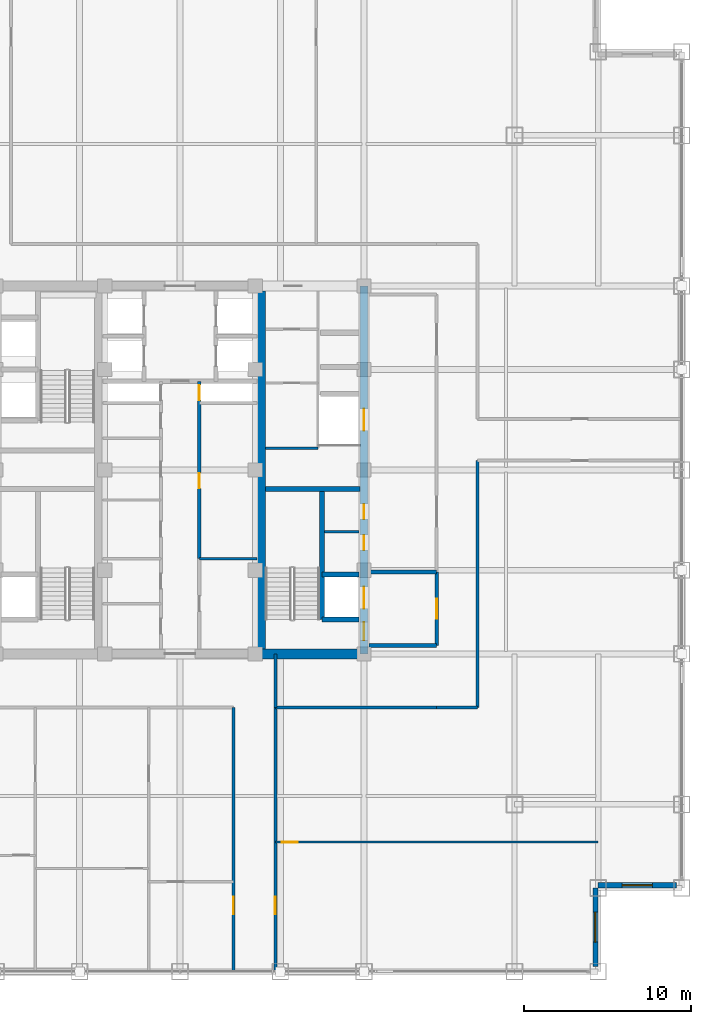
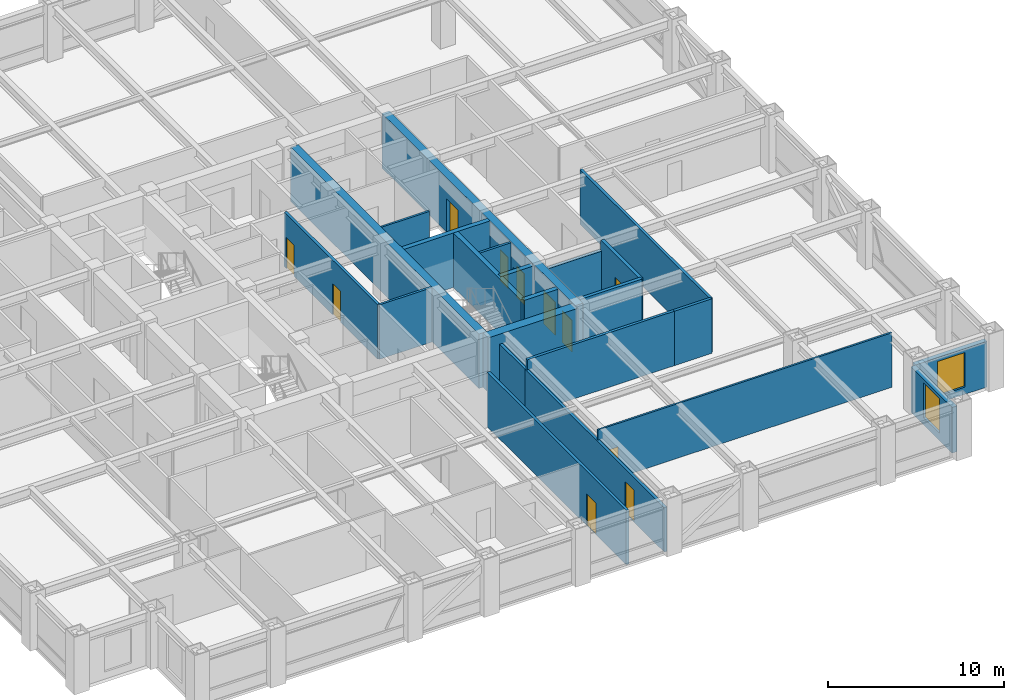
# One storey, part 21 of 24: 23 walls, 11 doors, 2 windows, 13 openings.
"""IFC4 building model written with IfcOpenShell, lengths in metres."""

from ifc_helpers import new_model, si_unit, direction, frame, frame_2d, origin, place, context, subcontext, project, spatial, rectangle, extrude, source, transform, mapped, material, layer, layer_set, type_object, element, fill, save


model = new_model("IFC4")

# Units and contexts
model_context = context("Model", 3, precision=1e-05, world=origin(), true_north=direction((0.0, 1.0)))
body_context = subcontext(model_context, "Body", "Model", "MODEL_VIEW")
ifc_project = project(units=[si_unit("LENGTHUNIT", "METRE"), si_unit("AREAUNIT", "SQUARE_METRE"), si_unit("VOLUMEUNIT", "CUBIC_METRE"), si_unit("PLANEANGLEUNIT", "RADIAN"), si_unit("MASSUNIT", "GRAM", prefix="KILO")], contexts=[model_context])

# Site, building, storey
site_placement = place(None, origin())
site = spatial("IfcSite", under=ifc_project, at=site_placement, CompositionType="ELEMENT")
building_placement = place(site_placement, origin())
building = spatial("IfcBuilding", under=site, at=building_placement, Name="Khorayat Bourse Tower", CompositionType="ELEMENT")
storey_placement = place(building_placement, frame((0.0, 0.0, 219.10009765625)))
storey = spatial("IfcBuildingStorey", under=building, at=storey_placement, Name="L51", CompositionType="ELEMENT", Elevation=219.10009765625)

# Wall
ifc_material_1 = material(Name="Concrete C52/65", Category="concrete")
ifc_layer_1 = layer(ifc_material_1, 0.5)
ifc_layer_set_1 = layer_set([ifc_layer_1], Name="Concrete C52/65")
wall_type_1 = type_object("IfcWallType", Name="WAL-CORE-500", PredefinedType="SHEAR", material=ifc_layer_set_1)
shared_shape_1 = source(origin(), body_context, "Body", "SweptSolid", [
    extrude(rectangle(XDim=21.39990234375, YDim=0.5, at=frame_2d((10.699951171875, 0.0))), origin(), (0.0, 0.0, 1.0), 3.77978515625),
])
wall_1_placement = place(storey_placement, frame((4.85009765625, -10.699951171875, 0.0), z_axis=(0.0, 0.0, 1.0), x_axis=(0.0, 1.0, 0.0)))
element("IfcWall", 1, at=wall_1_placement, inside=storey, type_object=wall_type_1, Name="L51 Core Shear Wall PIER-E", PredefinedType="SHEAR", context=body_context, shape_type="MappedRepresentation", body=[
    mapped(shared_shape_1, transform((0.0, 0.0, 0.0), scale=1.0)),
])

# Wall, openings, doors
shared_shape_2 = source(origin(), body_context, "Body", "SweptSolid", [
    extrude(rectangle(XDim=22.0, YDim=0.5, at=frame_2d((11.0, 0.0))), origin(), (0.0, 0.0, 1.0), 3.77978515625),
])
wall_2_placement = place(storey_placement, frame((11.0, -11.0, 0.0), z_axis=(0.0, 0.0, 1.0), x_axis=(0.0, 1.0, 0.0)))
wall_2 = element("IfcWall", 2, at=wall_2_placement, inside=storey, type_object=wall_type_1, Name="L51 Core Shear Wall CORE-E", PredefinedType="SHEAR", context=body_context, shape_type="MappedRepresentation", body=[
    mapped(shared_shape_2, transform((0.0, 0.0, 0.0), scale=1.0)),
])
shared_shape_3 = source(origin(), body_context, "Body", "SweptSolid", [
    extrude(rectangle(XDim=1.10009765625, YDim=2.199951171875, at=frame_2d((0.550048828125, 1.10009765625))), frame((0.0, 0.260009765625, 0.0), z_axis=(0.0, -1.0, 0.0), x_axis=(1.0, 0.0, 0.0)), (0.0, 0.0, 1.0), 0.52001953125),
])
opening_1_placement = place(wall_2_placement, frame((0.800048828125, 0.0, 0.0)))
opening_1 = element("IfcOpeningElement", 3, at=opening_1_placement, cuts=wall_2, Name="Opening DI-01", PredefinedType="OPENING", context=body_context, shape_type="MappedRepresentation", body=[
    mapped(shared_shape_3, transform((0.0, 0.0, 0.0), scale=1.0)),
])
shared_shape_4 = source(origin(), body_context, "Body", "SweptSolid", [
    extrude(rectangle(XDim=0.89990234375, YDim=2.14990234375, at=frame_2d((0.449951171875, 1.074951171875))), frame((0.0, 0.260009765625, 0.0), z_axis=(0.0, -1.0, 0.0), x_axis=(1.0, 0.0, 0.0)), (0.0, 0.0, 1.0), 0.52001953125),
])
opening_2_placement = place(wall_2_placement, frame((6.199951171875, 0.0, 0.0)))
opening_2 = element("IfcOpeningElement", 4, at=opening_2_placement, cuts=wall_2, Name="Opening DI-06", PredefinedType="OPENING", context=body_context, shape_type="MappedRepresentation", body=[
    mapped(shared_shape_4, transform((0.0, 0.0, 0.0), scale=1.0)),
])
opening_3_placement = place(wall_2_placement, frame((8.050048828125, 0.0, 0.0)))
opening_3 = element("IfcOpeningElement", 5, at=opening_3_placement, cuts=wall_2, Name="Opening DI-06", PredefinedType="OPENING", context=body_context, shape_type="MappedRepresentation", body=[
    mapped(shared_shape_4, transform((0.0, 0.0, 0.0), scale=1.0)),
])
shared_shape_5 = source(origin(), body_context, "Body", "SweptSolid", [
    extrude(rectangle(XDim=1.300048828125, YDim=2.300048828125, at=frame_2d((0.64990234375, 1.14990234375))), frame((0.0, 0.260009765625, 0.0), z_axis=(0.0, -1.0, 0.0), x_axis=(1.0, 0.0, 0.0)), (0.0, 0.0, 1.0), 0.52001953125),
])
opening_4_placement = place(wall_2_placement, frame((2.699951171875, 0.0, 0.0)))
opening_4 = element("IfcOpeningElement", 6, at=opening_4_placement, cuts=wall_2, Name="Opening LD-02", PredefinedType="OPENING", context=body_context, shape_type="MappedRepresentation", body=[
    mapped(shared_shape_5, transform((0.0, 0.0, 0.0), scale=1.0)),
])
opening_5_placement = place(wall_2_placement, frame((13.35009765625, 0.0, 0.0)))
opening_5 = element("IfcOpeningElement", 7, at=opening_5_placement, cuts=wall_2, Name="Opening LD-02", PredefinedType="OPENING", context=body_context, shape_type="MappedRepresentation", body=[
    mapped(shared_shape_5, transform((0.0, 0.0, 0.0), scale=1.0)),
])
ifc_material_2 = material(Name="Fire-rated steel acoustic leaf", Category="steel")
door_type_1 = type_object("IfcDoorType", Name="DR-INT-STAIR-1100", OperationType="NOTDEFINED", PredefinedType="DOOR", material=ifc_material_2)
shared_shape_6 = source(origin(), body_context, "Body", "SweptSolid", [
    extrude(rectangle(XDim=1.10009765625, YDim=2.199951171875, at=frame_2d((0.550048828125, 1.10009765625))), frame((0.0, 0.02490234375, 0.0), z_axis=(0.0, -1.0, 0.0), x_axis=(1.0, 0.0, 0.0)), (0.0, 0.0, 1.0), 0.050048828125),
])
door_1_placement = place(opening_1_placement, origin())
door_1 = element("IfcDoor", 8, at=door_1_placement, inside=storey, type_object=door_type_1, Name="L51 Exit Stair 3 Door", OperationType="SINGLE_SWING_LEFT", OverallHeight=2.199951171875, OverallWidth=1.10009765625, PredefinedType="DOOR", context=body_context, shape_type="MappedRepresentation", body=[
    mapped(shared_shape_6, transform((0.0, 0.0, 0.0), scale=1.0)),
])
fill(opening_1, door_1)
ifc_material_3 = material(Name="Moisture-resistant laminate washroom door")
door_type_2 = type_object("IfcDoorType", Name="DR-INT-WC-900", OperationType="NOTDEFINED", PredefinedType="DOOR", material=ifc_material_3)
shared_shape_7 = source(origin(), body_context, "Body", "SweptSolid", [
    extrude(rectangle(XDim=0.89990234375, YDim=2.14990234375, at=frame_2d((0.449951171875, 1.074951171875))), frame((0.0, 0.02490234375, 0.0), z_axis=(0.0, -1.0, 0.0), x_axis=(1.0, 0.0, 0.0)), (0.0, 0.0, 1.0), 0.050048828125),
])
door_2_placement = place(opening_2_placement, origin())
door_2 = element("IfcDoor", 9, at=door_2_placement, inside=storey, type_object=door_type_2, Name="L51 Comms Closet Door", OperationType="SINGLE_SWING_LEFT", OverallHeight=2.14990234375, OverallWidth=0.89990234375, PredefinedType="DOOR", context=body_context, shape_type="MappedRepresentation", body=[
    mapped(shared_shape_7, transform((0.0, 0.0, 0.0), scale=1.0)),
])
fill(opening_2, door_2)
door_3_placement = place(opening_3_placement, origin())
door_3 = element("IfcDoor", 10, at=door_3_placement, inside=storey, type_object=door_type_2, Name="L51 Cleaner Store Door", OperationType="SINGLE_SWING_RIGHT", OverallHeight=2.14990234375, OverallWidth=0.89990234375, PredefinedType="DOOR", context=body_context, shape_type="MappedRepresentation", body=[
    mapped(shared_shape_7, transform((0.0, 0.0, 0.0), scale=1.0)),
])
fill(opening_3, door_3)
ifc_material_4 = material(Name="Fire-rated stainless-steel sliding landing door", Category="steel")
door_type_3 = type_object("IfcDoorType", Name="DR-LIFT-FF-1300", OperationType="NOTDEFINED", PredefinedType="DOOR", material=ifc_material_4)
shared_shape_8 = source(origin(), body_context, "Body", "SweptSolid", [
    extrude(rectangle(XDim=1.300048828125, YDim=2.300048828125, at=frame_2d((0.64990234375, 1.14990234375))), frame((0.0, 0.02490234375, 0.0), z_axis=(0.0, -1.0, 0.0), x_axis=(1.0, 0.0, 0.0)), (0.0, 0.0, 1.0), 0.050048828125),
])
door_4_placement = place(opening_4_placement, origin())
door_4 = element("IfcDoor", 11, at=door_4_placement, inside=storey, type_object=door_type_3, Name="L51 Lift FFL-02 Sliding Landing Door", OperationType="SLIDING_TO_LEFT", OverallHeight=2.300048828125, OverallWidth=1.300048828125, PredefinedType="DOOR", context=body_context, shape_type="MappedRepresentation", body=[
    mapped(shared_shape_8, transform((0.0, 0.0, 0.0), scale=1.0)),
])
fill(opening_4, door_4)
door_5_placement = place(opening_5_placement, origin())
door_5 = element("IfcDoor", 12, at=door_5_placement, inside=storey, type_object=door_type_3, Name="L51 Lift SVL-01 Sliding Landing Door", OperationType="SLIDING_TO_LEFT", OverallHeight=2.300048828125, OverallWidth=1.300048828125, PredefinedType="DOOR", context=body_context, shape_type="MappedRepresentation", body=[
    mapped(shared_shape_8, transform((0.0, 0.0, 0.0), scale=1.0)),
])
fill(opening_5, door_5)

# Walls
ifc_material_5 = material(Name="Concrete C60/75", Category="concrete")
ifc_layer_2 = layer(ifc_material_5, 0.60009765625)
ifc_layer_set_2 = layer_set([ifc_layer_2], Name="Concrete C60/75")
wall_type_2 = type_object("IfcWallType", Name="WAL-CORE-600", PredefinedType="SHEAR", material=ifc_layer_set_2)
shared_shape_9 = source(origin(), body_context, "Body", "SweptSolid", [
    extrude(rectangle(XDim=5.89990234375, YDim=0.60009765625, at=frame_2d((2.949951171875, 0.0))), origin(), (0.0, 0.0, 1.0), 3.77978515625),
])
wall_3_placement = place(storey_placement, frame((4.85009765625, -11.0, 0.0), z_axis=(0.0, 0.0, 1.0), x_axis=(1.0, 0.0, 0.0)))
element("IfcWall", 13, at=wall_3_placement, inside=storey, type_object=wall_type_2, Name="L51 Core Shear Wall PIER-ES", PredefinedType="SHEAR", context=body_context, shape_type="MappedRepresentation", body=[
    mapped(shared_shape_9, transform((0.0, 0.0, 0.0), scale=1.0)),
])
ifc_material_6 = material(Name="Concrete C50/60", Category="concrete")
ifc_layer_3 = layer(ifc_material_6, 0.300048828125)
ifc_layer_set_3 = layer_set([ifc_layer_3], Name="Concrete C50/60")
wall_type_3 = type_object("IfcWallType", Name="WAL-SHAFT-300", PredefinedType="SHEAR", material=ifc_layer_set_3)
shared_shape_10 = source(origin(), body_context, "Body", "SweptSolid", [
    extrude(rectangle(XDim=5.64990234375, YDim=0.300048828125, at=frame_2d((2.824951171875, 0.0))), origin(), (0.0, 0.0, 1.0), 3.77978515625),
])
wall_4_placement = place(storey_placement, frame((5.10009765625, -1.14990234375, 0.0), z_axis=(0.0, 0.0, 1.0), x_axis=(1.0, 0.0, 0.0)))
element("IfcWall", 14, at=wall_4_placement, inside=storey, type_object=wall_type_3, Name="L51 Core Shear Wall ST3-DIV", PredefinedType="SHEAR", context=body_context, shape_type="MappedRepresentation", body=[
    mapped(shared_shape_10, transform((0.0, 0.0, 0.0), scale=1.0)),
])

# Wall, opening, window
ifc_material_7 = material(Name="Precast concrete C45/55", Category="concrete")
ifc_layer_4 = layer(ifc_material_7, 0.320068359375)
ifc_layer_set_4 = layer_set([ifc_layer_4], Name="Precast concrete C45/55")
wall_type_4 = type_object("IfcWallType", Name="WAL-EXT-STONE-320", PredefinedType="STANDARD", material=ifc_layer_set_4)
shared_shape_11 = source(origin(), body_context, "Body", "SweptSolid", [
    extrude(rectangle(XDim=4.679931640625, YDim=0.320068359375, at=frame_2d((2.33984375, 0.0))), origin(), (0.0, 0.0, 1.0), 3.163818359375),
])
wall_5_placement = place(storey_placement, frame((24.840087890625, -29.679931640625, 0.0), z_axis=(0.0, 0.0, 1.0), x_axis=(0.0, 1.0, 0.0)))
wall_5 = element("IfcWall", 15, at=wall_5_placement, inside=storey, type_object=wall_type_4, Name="L51 Re-Entrant Notch Limestone Wall SE-V", PredefinedType="STANDARD", context=body_context, shape_type="MappedRepresentation", body=[
    mapped(shared_shape_11, transform((0.0, 0.0, 0.0), scale=1.0)),
])
shared_shape_12 = source(origin(), body_context, "Body", "SweptSolid", [
    extrude(rectangle(XDim=1.800048828125, YDim=2.39990234375, at=frame_2d((0.89990234375, 1.199951171875))), frame((0.0, 0.169921875, 0.0), z_axis=(0.0, -1.0, 0.0), x_axis=(1.0, 0.0, 0.0)), (0.0, 0.0, 1.0), 0.340087890625),
])
opening_6_placement = place(wall_5_placement, frame((1.43994140625, 0.0, 0.5)))
opening_6 = element("IfcOpeningElement", 16, at=opening_6_placement, cuts=wall_5, Name="Opening WN-04", PredefinedType="OPENING", context=body_context, shape_type="MappedRepresentation", body=[
    mapped(shared_shape_12, transform((0.0, 0.0, 0.0), scale=1.0)),
])
ifc_material_8 = material(Name="Low-E acoustic laminated double glazing", Category="glass")
window_type = type_object("IfcWindowType", Name="WIN-NOTCH-1800x2400", PartitioningType="SINGLE_PANEL", PredefinedType="WINDOW", material=ifc_material_8)
shared_shape_13 = source(origin(), body_context, "Body", "SweptSolid", [
    extrude(rectangle(XDim=1.800048828125, YDim=2.39990234375, at=frame_2d((0.89990234375, 1.199951171875))), frame((0.0, 0.030029296875, 0.0), z_axis=(0.0, -1.0, 0.0), x_axis=(1.0, 0.0, 0.0)), (0.0, 0.0, 1.0), 0.06005859375),
])
window_1_placement = place(opening_6_placement, origin())
window_1 = element("IfcWindow", 17, at=window_1_placement, inside=storey, type_object=window_type, Name="L51 Facade Window 1", OverallHeight=2.39990234375, OverallWidth=1.800048828125, PartitioningType="SINGLE_PANEL", PredefinedType="WINDOW", context=body_context, shape_type="MappedRepresentation", body=[
    mapped(shared_shape_13, transform((0.0, 0.0, 0.0), scale=1.0)),
])
fill(opening_6, window_1)

wall_6_placement = place(storey_placement, frame((25.0, -24.840087890625, 0.0), z_axis=(0.0, 0.0, 1.0), x_axis=(1.0, 0.0, 0.0)))
wall_6 = element("IfcWall", 18, at=wall_6_placement, inside=storey, type_object=wall_type_4, Name="L51 Re-Entrant Notch Limestone Wall SE-H", PredefinedType="STANDARD", context=body_context, shape_type="MappedRepresentation", body=[
    mapped(shared_shape_11, transform((0.0, 0.0, 0.0), scale=1.0)),
])
opening_7_placement = place(wall_6_placement, frame((1.43994140625, 0.0, 0.5)))
opening_7 = element("IfcOpeningElement", 19, at=opening_7_placement, cuts=wall_6, Name="Opening WN-04", PredefinedType="OPENING", context=body_context, shape_type="MappedRepresentation", body=[
    mapped(shared_shape_12, transform((0.0, 0.0, 0.0), scale=1.0)),
])
window_2_placement = place(opening_7_placement, origin())
window_2 = element("IfcWindow", 20, at=window_2_placement, inside=storey, type_object=window_type, Name="L51 Facade Window 1", OverallHeight=2.39990234375, OverallWidth=1.800048828125, PartitioningType="SINGLE_PANEL", PredefinedType="WINDOW", context=body_context, shape_type="MappedRepresentation", body=[
    mapped(shared_shape_13, transform((0.0, 0.0, 0.0), scale=1.0)),
])
fill(opening_7, window_2)

# Walls
ifc_material_9 = material(Name="Aerated concrete blockwork", Category="masonry")
ifc_layer_5 = layer(ifc_material_9, 0.219970703125)
ifc_layer_set_5 = layer_set([ifc_layer_5], Name="Aerated concrete blockwork")
wall_type_5 = type_object("IfcWallType", Name="WAL-PART-FF-220", PredefinedType="PARTITIONING", material=ifc_layer_set_5)
shared_shape_14 = source(origin(), body_context, "Body", "SweptSolid", [
    extrude(rectangle(XDim=4.050048828125, YDim=0.219970703125, at=frame_2d((2.02490234375, 0.0))), origin(), (0.0, 0.0, 1.0), 3.0849609375),
])
wall_7_placement = place(storey_placement, frame((11.300048828125, -6.10009765625, 0.0), z_axis=(0.0, 0.0, 1.0), x_axis=(1.0, 0.0, 0.0)))
element("IfcWall", 21, at=wall_7_placement, inside=storey, type_object=wall_type_5, Name="L51 Partition WAL-L51-FFLE-N", PredefinedType="PARTITIONING", context=body_context, shape_type="MappedRepresentation", body=[
    mapped(shared_shape_14, transform((0.0, 0.0, 0.0), scale=1.0)),
])
shared_shape_15 = source(origin(), body_context, "Body", "SweptSolid", [
    extrude(rectangle(XDim=7.800048828125, YDim=0.300048828125, at=frame_2d((3.89990234375, 0.0))), origin(), (0.0, 0.0, 1.0), 3.77978515625),
])
wall_8_placement = place(storey_placement, frame((8.5, -8.949951171875, 0.0), z_axis=(0.0, 0.0, 1.0), x_axis=(0.0, 1.0, 0.0)))
element("IfcWall", 22, at=wall_8_placement, inside=storey, type_object=wall_type_3, Name="L51 Partition WAL-L51-EPIER-SP", PredefinedType="SHEAR", context=body_context, shape_type="MappedRepresentation", body=[
    mapped(shared_shape_15, transform((0.0, 0.0, 0.0), scale=1.0)),
])
shared_shape_16 = source(origin(), body_context, "Body", "SweptSolid", [
    extrude(rectangle(XDim=2.199951171875, YDim=0.300048828125, at=frame_2d((1.10009765625, 0.0))), origin(), (0.0, 0.0, 1.0), 3.77978515625),
])
for number, where, z_axis, x_axis, name in (
    (23, (8.5, -8.949951171875, 0.0), (0.0, 0.0, 1.0), (1.0, 0.0, 0.0), "L51 Partition WAL-L51-EPIER-FF2S"),
    (24, (8.5, -6.25, 0.0), (0.0, 0.0, 1.0), (1.0, 0.0, 0.0), "L51 Partition WAL-L51-EPIER-FF2N"),
):
    element("IfcWall", number, at=place(storey_placement, frame(where, z_axis=z_axis, x_axis=x_axis)), inside=storey, type_object=wall_type_3, Name=name, PredefinedType="SHEAR", context=body_context, shape_type="MappedRepresentation", body=[
        mapped(shared_shape_16, transform((0.0, 0.0, 0.0), scale=1.0)),
    ])
ifc_material_10 = material(Name="Gypsum plasterboard twin-frame partition")
ifc_layer_6 = layer(ifc_material_10, 0.14990234375)
ifc_layer_set_6 = layer_set([ifc_layer_6], Name="Gypsum plasterboard twin-frame partition")
wall_type_6 = type_object("IfcWallType", Name="WAL-PART-SUITE-150", PredefinedType="PARTITIONING", material=ifc_layer_set_6)
shared_shape_17 = source(origin(), body_context, "Body", "SweptSolid", [
    extrude(rectangle(XDim=2.050048828125, YDim=0.14990234375, at=frame_2d((1.02490234375, 0.0))), origin(), (0.0, 0.0, 1.0), 3.77978515625),
])
wall_9_placement = place(storey_placement, frame((8.64990234375, -3.699951171875, 0.0), z_axis=(0.0, 0.0, 1.0), x_axis=(1.0, 0.0, 0.0)))
element("IfcWall", 25, at=wall_9_placement, inside=storey, type_object=wall_type_6, Name="L51 Partition WAL-L51-ESRV-D1", PredefinedType="PARTITIONING", context=body_context, shape_type="MappedRepresentation", body=[
    mapped(shared_shape_17, transform((0.0, 0.0, 0.0), scale=1.0)),
])
ifc_material_11 = material(Name="Moisture-resistant masonry partition", Category="masonry")
ifc_layer_7 = layer(ifc_material_11, 0.139892578125)
ifc_layer_set_7 = layer_set([ifc_layer_7], Name="Moisture-resistant masonry partition")
wall_type_7 = type_object("IfcWallType", Name="WAL-PART-WET-140", PredefinedType="PARTITIONING", material=ifc_layer_set_7)
shared_shape_18 = source(origin(), body_context, "Body", "SweptSolid", [
    extrude(rectangle(XDim=3.14990234375, YDim=0.139892578125, at=frame_2d((1.574951171875, 0.0))), origin(), (0.0, 0.0, 1.0), 3.77978515625),
])
wall_10_placement = place(storey_placement, frame((5.10009765625, 1.300048828125, 0.0), z_axis=(0.0, 0.0, 1.0), x_axis=(1.0, 0.0, 0.0)))
element("IfcWall", 26, at=wall_10_placement, inside=storey, type_object=wall_type_7, Name="L51 Partition WAL-L51-ECORE-S", PredefinedType="PARTITIONING", context=body_context, shape_type="MappedRepresentation", body=[
    mapped(shared_shape_18, transform((0.0, 0.0, 0.0), scale=1.0)),
])
shared_shape_19 = source(origin(), body_context, "Body", "SweptSolid", [
    extrude(rectangle(XDim=4.050048828125, YDim=0.219970703125, at=frame_2d((2.02490234375, 0.0))), origin(), (0.0, 0.0, 1.0), 3.77978515625),
])
wall_11_placement = place(storey_placement, frame((11.300048828125, -10.5, 0.0), z_axis=(0.0, 0.0, 1.0), x_axis=(1.0, 0.0, 0.0)))
element("IfcWall", 27, at=wall_11_placement, inside=storey, type_object=wall_type_5, Name="L51 Partition WAL-L51-FFLE-S", PredefinedType="PARTITIONING", context=body_context, shape_type="MappedRepresentation", body=[
    mapped(shared_shape_19, transform((0.0, 0.0, 0.0), scale=1.0)),
])

# Wall, opening, door
shared_shape_20 = source(origin(), body_context, "Body", "SweptSolid", [
    extrude(rectangle(XDim=4.39990234375, YDim=0.219970703125, at=frame_2d((2.199951171875, 0.0))), origin(), (0.0, 0.0, 1.0), 3.77978515625),
])
wall_12_placement = place(storey_placement, frame((15.35009765625, -10.5, 0.0), z_axis=(0.0, 0.0, 1.0), x_axis=(0.0, 1.0, 0.0)))
wall_12 = element("IfcWall", 28, at=wall_12_placement, inside=storey, type_object=wall_type_5, Name="L51 Partition WAL-L51-FFLE-E", PredefinedType="PARTITIONING", context=body_context, shape_type="MappedRepresentation", body=[
    mapped(shared_shape_20, transform((0.0, 0.0, 0.0), scale=1.0)),
])
shared_shape_21 = source(origin(), body_context, "Body", "SweptSolid", [
    extrude(rectangle(XDim=1.199951171875, YDim=2.199951171875, at=frame_2d((0.60009765625, 1.10009765625))), frame((0.0, 0.119873046875, 0.0), z_axis=(0.0, -1.0, 0.0), x_axis=(1.0, 0.0, 0.0)), (0.0, 0.0, 1.0), 0.239990234375),
])
opening_8_placement = place(wall_12_placement, frame((1.60009765625, 0.0, 0.0)))
opening_8 = element("IfcOpeningElement", 29, at=opening_8_placement, cuts=wall_12, Name="Opening DI-02", PredefinedType="OPENING", context=body_context, shape_type="MappedRepresentation", body=[
    mapped(shared_shape_21, transform((0.0, 0.0, 0.0), scale=1.0)),
])
ifc_material_12 = material(Name="Fire-rated steel double-seal leaf", Category="steel")
door_type_4 = type_object("IfcDoorType", Name="DR-INT-FFLOBBY-1200", OperationType="NOTDEFINED", PredefinedType="DOOR", material=ifc_material_12)
shared_shape_22 = source(origin(), body_context, "Body", "SweptSolid", [
    extrude(rectangle(XDim=1.199951171875, YDim=2.199951171875, at=frame_2d((0.60009765625, 1.10009765625))), frame((0.0, 0.02490234375, 0.0), z_axis=(0.0, -1.0, 0.0), x_axis=(1.0, 0.0, 0.0)), (0.0, 0.0, 1.0), 0.050048828125),
])
door_6_placement = place(opening_8_placement, origin())
door_6 = element("IfcDoor", 30, at=door_6_placement, inside=storey, type_object=door_type_4, Name="L51 East Firefighting Lobby Door", OperationType="SINGLE_SWING_RIGHT", OverallHeight=2.199951171875, OverallWidth=1.199951171875, PredefinedType="DOOR", context=body_context, shape_type="MappedRepresentation", body=[
    mapped(shared_shape_22, transform((0.0, 0.0, 0.0), scale=1.0)),
])
fill(opening_8, door_6)

# Wall
shared_shape_23 = source(origin(), body_context, "Body", "SweptSolid", [
    extrude(rectangle(XDim=3.4501953125, YDim=0.14990234375, at=frame_2d((1.72509765625, 0.0))), origin(), (0.0, 0.0, 1.0), 3.77978515625),
])
wall_13_placement = place(storey_placement, frame((1.14990234375, -5.300048828125, 0.0), z_axis=(0.0, 0.0, 1.0), x_axis=(1.0, 0.0, 0.0)))
element("IfcWall", 31, at=wall_13_placement, inside=storey, type_object=wall_type_6, Name="L51 Partition WAL-L51-FB1-NE", PredefinedType="PARTITIONING", context=body_context, shape_type="MappedRepresentation", body=[
    mapped(shared_shape_23, transform((0.0, 0.0, 0.0), scale=1.0)),
])

# Wall, openings, doors
ifc_material_13 = material(Name="Gypsum plasterboard acoustic stud wall")
ifc_layer_8 = layer(ifc_material_13, 0.179931640625)
ifc_layer_set_8 = layer_set([ifc_layer_8], Name="Gypsum plasterboard acoustic stud wall")
wall_type_8 = type_object("IfcWallType", Name="WAL-PART-CORR-180", PredefinedType="PARTITIONING", material=ifc_layer_set_8)
shared_shape_24 = source(origin(), body_context, "Body", "SweptSolid", [
    extrude(rectangle(XDim=10.60009765625, YDim=0.179931640625, at=frame_2d((5.300048828125, 0.0))), origin(), (0.0, 0.0, 1.0), 3.77978515625),
])
wall_14_placement = place(storey_placement, frame((1.14990234375, -5.300048828125, 0.0), z_axis=(0.0, 0.0, 1.0), x_axis=(0.0, 1.0, 0.0)))
wall_14 = element("IfcWall", 32, at=wall_14_placement, inside=storey, type_object=wall_type_8, Name="L51 Partition WAL-L51-CME-L", PredefinedType="PARTITIONING", context=body_context, shape_type="MappedRepresentation", body=[
    mapped(shared_shape_24, transform((0.0, 0.0, 0.0), scale=1.0)),
])
shared_shape_25 = source(origin(), body_context, "Body", "SweptSolid", [
    extrude(rectangle(XDim=0.89990234375, YDim=2.14990234375, at=frame_2d((0.449951171875, 1.074951171875))), frame((0.0, 0.099853515625, 0.0), z_axis=(0.0, -1.0, 0.0), x_axis=(1.0, 0.0, 0.0)), (0.0, 0.0, 1.0), 0.199951171875),
])
opening_9_placement = place(wall_14_placement, frame((4.199951171875, 0.0, 0.0)))
opening_9 = element("IfcOpeningElement", 33, at=opening_9_placement, cuts=wall_14, Name="Opening DI-06", PredefinedType="OPENING", context=body_context, shape_type="MappedRepresentation", body=[
    mapped(shared_shape_25, transform((0.0, 0.0, 0.0), scale=1.0)),
])
opening_10_placement = place(wall_14_placement, frame((9.47509765625, 0.0, 0.0)))
opening_10 = element("IfcOpeningElement", 34, at=opening_10_placement, cuts=wall_14, Name="Opening DI-06", PredefinedType="OPENING", context=body_context, shape_type="MappedRepresentation", body=[
    mapped(shared_shape_25, transform((0.0, 0.0, 0.0), scale=1.0)),
])
door_7_placement = place(opening_9_placement, origin())
door_7 = element("IfcDoor", 35, at=door_7_placement, inside=storey, type_object=door_type_2, Name="L51 Female Core Washroom Door", OperationType="SINGLE_SWING_RIGHT", OverallHeight=2.14990234375, OverallWidth=0.89990234375, PredefinedType="DOOR", context=body_context, shape_type="MappedRepresentation", body=[
    mapped(shared_shape_7, transform((0.0, 0.0, 0.0), scale=1.0)),
])
fill(opening_9, door_7)
door_8_placement = place(opening_10_placement, origin())
door_8 = element("IfcDoor", 36, at=door_8_placement, inside=storey, type_object=door_type_2, Name="L51 East Core Riser Door", OperationType="SINGLE_SWING_RIGHT", OverallHeight=2.14990234375, OverallWidth=0.89990234375, PredefinedType="DOOR", context=body_context, shape_type="MappedRepresentation", body=[
    mapped(shared_shape_7, transform((0.0, 0.0, 0.0), scale=1.0)),
])
fill(opening_10, door_8)

# Wall
shared_shape_26 = source(origin(), body_context, "Body", "SweptSolid", [
    extrude(rectangle(XDim=2.449951171875, YDim=0.179931640625, at=frame_2d((1.22509765625, 0.0))), origin(), (0.0, 0.0, 1.0), 3.77978515625),
])
wall_15_placement = place(storey_placement, frame((15.35009765625, -14.199951171875, 0.0), z_axis=(0.0, 0.0, 1.0), x_axis=(1.0, 0.0, 0.0)))
element("IfcWall", 37, at=wall_15_placement, inside=storey, type_object=wall_type_8, Name="L51 Partition WAL-L51-C2-ES", PredefinedType="PARTITIONING", context=body_context, shape_type="MappedRepresentation", body=[
    mapped(shared_shape_26, transform((0.0, 0.0, 0.0), scale=1.0)),
])

# Wall, opening, door
shared_shape_27 = source(origin(), body_context, "Body", "SweptSolid", [
    extrude(rectangle(XDim=15.800048828125, YDim=0.179931640625, at=frame_2d((7.89990234375, 0.0))), origin(), (0.0, 0.0, 1.0), 3.77978515625),
])
wall_16_placement = place(storey_placement, frame((3.199951171875, -30.0, 0.0), z_axis=(0.0, 0.0, 1.0), x_axis=(0.0, 1.0, 0.0)))
wall_16 = element("IfcWall", 38, at=wall_16_placement, inside=storey, type_object=wall_type_8, Name="L51 Partition WAL-L51-QSW-SPK", PredefinedType="PARTITIONING", context=body_context, shape_type="MappedRepresentation", body=[
    mapped(shared_shape_27, transform((0.0, 0.0, 0.0), scale=1.0)),
])
shared_shape_28 = source(origin(), body_context, "Body", "SweptSolid", [
    extrude(rectangle(XDim=1.050048828125, YDim=2.199951171875, at=frame_2d((0.52490234375, 1.10009765625))), frame((0.0, 0.099853515625, 0.0), z_axis=(0.0, -1.0, 0.0), x_axis=(1.0, 0.0, 0.0)), (0.0, 0.0, 1.0), 0.199951171875),
])
opening_11_placement = place(wall_16_placement, frame((3.425048828125, 0.0, 0.0)))
opening_11 = element("IfcOpeningElement", 39, at=opening_11_placement, cuts=wall_16, Name="Opening DI-04", PredefinedType="OPENING", context=body_context, shape_type="MappedRepresentation", body=[
    mapped(shared_shape_28, transform((0.0, 0.0, 0.0), scale=1.0)),
])
ifc_material_14 = material(Name="Fire-rated oak veneer suite entrance door")
door_type_5 = type_object("IfcDoorType", Name="DR-INT-SUITE-1050", OperationType="NOTDEFINED", PredefinedType="DOOR", material=ifc_material_14)
shared_shape_29 = source(origin(), body_context, "Body", "SweptSolid", [
    extrude(rectangle(XDim=1.050048828125, YDim=2.199951171875, at=frame_2d((0.52490234375, 1.10009765625))), frame((0.0, 0.02490234375, 0.0), z_axis=(0.0, -1.0, 0.0), x_axis=(1.0, 0.0, 0.0)), (0.0, 0.0, 1.0), 0.050048828125),
])
door_9_placement = place(opening_11_placement, origin())
door_9 = element("IfcDoor", 40, at=door_9_placement, inside=storey, type_object=door_type_5, Name="L51 South-West Radial Spoke Entry", OperationType="SINGLE_SWING_LEFT", OverallHeight=2.199951171875, OverallWidth=1.050048828125, PredefinedType="DOOR", context=body_context, shape_type="MappedRepresentation", body=[
    mapped(shared_shape_29, transform((0.0, 0.0, 0.0), scale=1.0)),
])
fill(opening_11, door_9)

# Walls
shared_shape_30 = source(origin(), body_context, "Body", "SweptSolid", [
    extrude(rectangle(XDim=9.650146484375, YDim=0.179931640625, at=frame_2d((4.8251953125, 0.0))), origin(), (0.0, 0.0, 1.0), 3.77978515625),
])
wall_17_placement = place(storey_placement, frame((5.699951171875, -14.199951171875, 0.0), z_axis=(0.0, 0.0, 1.0), x_axis=(1.0, 0.0, 0.0)))
element("IfcWall", 41, at=wall_17_placement, inside=storey, type_object=wall_type_8, Name="L51 Partition WAL-L51-QSE-HC", PredefinedType="PARTITIONING", context=body_context, shape_type="MappedRepresentation", body=[
    mapped(shared_shape_30, transform((0.0, 0.0, 0.0), scale=1.0)),
])
shared_shape_31 = source(origin(), body_context, "Body", "SweptSolid", [
    extrude(rectangle(XDim=3.199951171875, YDim=0.179931640625, at=frame_2d((1.60009765625, 0.0))), origin(), (0.0, 0.0, 1.0), 3.0849609375),
])
wall_18_placement = place(storey_placement, frame((5.699951171875, -14.199951171875, 0.0), z_axis=(0.0, 0.0, 1.0), x_axis=(0.0, 1.0, 0.0)))
element("IfcWall", 42, at=wall_18_placement, inside=storey, type_object=wall_type_8, Name="L51 Partition WAL-L51-C2-SCE", PredefinedType="PARTITIONING", context=body_context, shape_type="MappedRepresentation", body=[
    mapped(shared_shape_31, transform((0.0, 0.0, 0.0), scale=1.0)),
])

# Wall, opening, door
ifc_material_15 = material(Name="Gypsum plasterboard partition")
ifc_layer_9 = layer(ifc_material_15, 0.125)
ifc_layer_set_9 = layer_set([ifc_layer_9], Name="Gypsum plasterboard partition")
wall_type_9 = type_object("IfcWallType", Name="WAL-PART-ROOM-125", PredefinedType="PARTITIONING", material=ifc_layer_set_9)
shared_shape_32 = source(origin(), body_context, "Body", "SweptSolid", [
    extrude(rectangle(XDim=19.300048828125, YDim=0.125, at=frame_2d((9.64990234375, 0.0))), origin(), (0.0, 0.0, 1.0), 3.77978515625),
])
wall_19_placement = place(storey_placement, frame((5.699951171875, -22.258056640625, 0.0), z_axis=(0.0, 0.0, 1.0), x_axis=(1.0, 0.0, 0.0)))
wall_19 = element("IfcWall", 43, at=wall_19_placement, inside=storey, type_object=wall_type_9, Name="L51 Partition WAL-L51-QSEDP-1", PredefinedType="PARTITIONING", context=body_context, shape_type="MappedRepresentation", body=[
    mapped(shared_shape_32, transform((0.0, 0.0, 0.0), scale=1.0)),
])
shared_shape_33 = source(origin(), body_context, "Body", "SweptSolid", [
    extrude(rectangle(XDim=0.949951171875, YDim=2.14990234375, at=frame_2d((0.47509765625, 1.074951171875))), frame((0.0, 0.072509765625, 0.0), z_axis=(0.0, -1.0, 0.0), x_axis=(1.0, 0.0, 0.0)), (0.0, 0.0, 1.0), 0.14501953125),
])
opening_12_placement = place(wall_19_placement, frame((0.375, 0.0, 0.0)))
opening_12 = element("IfcOpeningElement", 44, at=opening_12_placement, cuts=wall_19, Name="Opening DI-05", PredefinedType="OPENING", context=body_context, shape_type="MappedRepresentation", body=[
    mapped(shared_shape_33, transform((0.0, 0.0, 0.0), scale=1.0)),
])
ifc_material_16 = material(Name="Acoustic oak veneer office door")
door_type_6 = type_object("IfcDoorType", Name="DR-INT-OFFICE-950", OperationType="NOTDEFINED", PredefinedType="DOOR", material=ifc_material_16)
shared_shape_34 = source(origin(), body_context, "Body", "SweptSolid", [
    extrude(rectangle(XDim=0.949951171875, YDim=2.14990234375, at=frame_2d((0.47509765625, 1.074951171875))), frame((0.0, 0.02490234375, 0.0), z_axis=(0.0, -1.0, 0.0), x_axis=(1.0, 0.0, 0.0)), (0.0, 0.0, 1.0), 0.050048828125),
])
door_10_placement = place(opening_12_placement, origin())
door_10 = element("IfcDoor", 45, at=door_10_placement, inside=storey, type_object=door_type_6, Name="L51 South-East Occupational First Aid Clinic 1B Door", OperationType="SINGLE_SWING_RIGHT", OverallHeight=2.14990234375, OverallWidth=0.949951171875, PredefinedType="DOOR", context=body_context, shape_type="MappedRepresentation", body=[
    mapped(shared_shape_34, transform((0.0, 0.0, 0.0), scale=1.0)),
])
fill(opening_12, door_10)

shared_shape_35 = source(origin(), body_context, "Body", "SweptSolid", [
    extrude(rectangle(XDim=15.800048828125, YDim=0.179931640625, at=frame_2d((7.89990234375, 0.0))), origin(), (0.0, 0.0, 1.0), 3.0849609375),
])
wall_20_placement = place(storey_placement, frame((5.699951171875, -30.0, 0.0), z_axis=(0.0, 0.0, 1.0), x_axis=(0.0, 1.0, 0.0)))
wall_20 = element("IfcWall", 46, at=wall_20_placement, inside=storey, type_object=wall_type_8, Name="L51 Partition WAL-L51-QSE-SPK", PredefinedType="PARTITIONING", context=body_context, shape_type="MappedRepresentation", body=[
    mapped(shared_shape_35, transform((0.0, 0.0, 0.0), scale=1.0)),
])
opening_13_placement = place(wall_20_placement, frame((3.425048828125, 0.0, 0.0)))
opening_13 = element("IfcOpeningElement", 47, at=opening_13_placement, cuts=wall_20, Name="Opening DI-04", PredefinedType="OPENING", context=body_context, shape_type="MappedRepresentation", body=[
    mapped(shared_shape_28, transform((0.0, 0.0, 0.0), scale=1.0)),
])
door_11_placement = place(opening_13_placement, origin())
door_11 = element("IfcDoor", 48, at=door_11_placement, inside=storey, type_object=door_type_5, Name="L51 South-East Radial Spoke Entry", OperationType="SINGLE_SWING_LEFT", OverallHeight=2.199951171875, OverallWidth=1.050048828125, PredefinedType="DOOR", context=body_context, shape_type="MappedRepresentation", body=[
    mapped(shared_shape_29, transform((0.0, 0.0, 0.0), scale=1.0)),
])
fill(opening_13, door_11)

# Wall
shared_shape_36 = source(origin(), body_context, "Body", "SweptSolid", [
    extrude(rectangle(XDim=14.75, YDim=0.179931640625, at=frame_2d((7.375, 0.0))), origin(), (0.0, 0.0, 1.0), 3.77978515625),
])
wall_21_placement = place(storey_placement, frame((17.800048828125, -14.199951171875, 0.0), z_axis=(0.0, 0.0, 1.0), x_axis=(0.0, 1.0, 0.0)))
element("IfcWall", 49, at=wall_21_placement, inside=storey, type_object=wall_type_8, Name="L51 Partition WAL-L51-ES-IN", PredefinedType="PARTITIONING", context=body_context, shape_type="MappedRepresentation", body=[
    mapped(shared_shape_36, transform((0.0, 0.0, 0.0), scale=1.0)),
])

save(model, "model.ifc")
